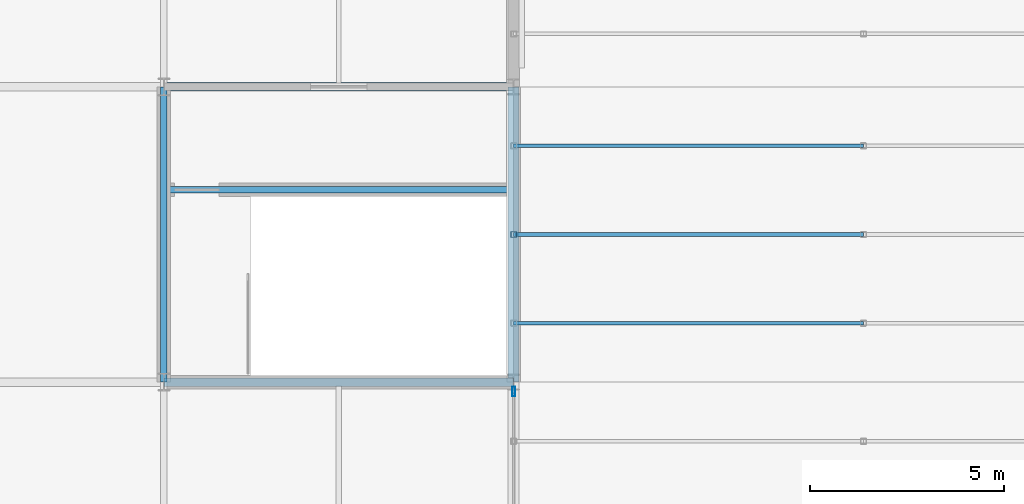
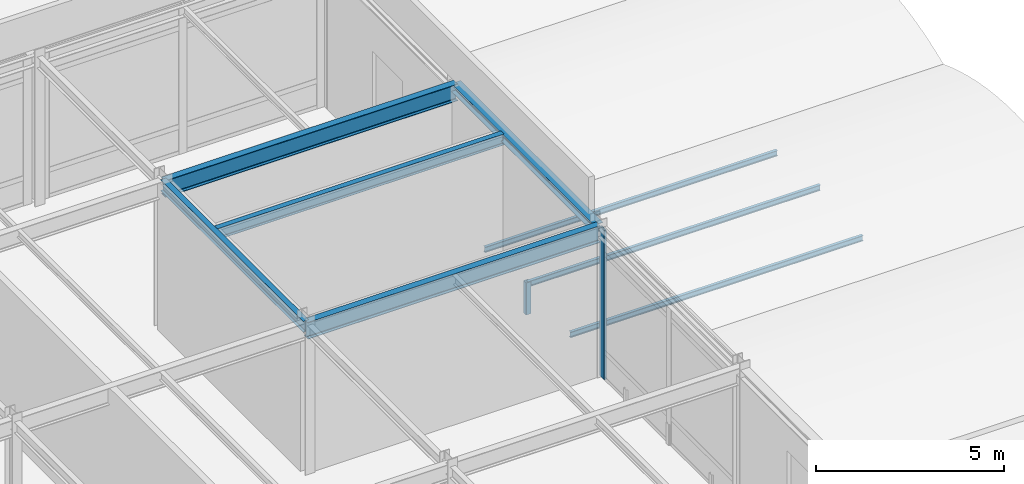
# One storey, part 72 of 113: 5 beams, 5 members, 1 element without a shape of its own.
"""IFC4 building model written with IfcOpenShell, lengths in metres."""

from ifc_helpers import new_model, si_unit, direction, frame, origin, origin_2d, place, context, subcontext, project, spatial, hollow_rectangle, i_section, extrude, material, layer, layer_set, material_profile, profile_set, type_object, element, aggregate, save


model = new_model("IFC4")

# Units and contexts
model_context = context("Model", 3, precision=1e-05, world=origin(), true_north=direction((0.0, 1.0)))
body_context = subcontext(model_context, "Body", "Model", "MODEL_VIEW")
ifc_project = project(units=[si_unit("LENGTHUNIT", "METRE"), si_unit("AREAUNIT", "SQUARE_METRE"), si_unit("VOLUMEUNIT", "CUBIC_METRE"), si_unit("PLANEANGLEUNIT", "RADIAN"), si_unit("MASSUNIT", "GRAM", prefix="KILO")], contexts=[model_context])

# Site, building, storey
site_placement = place(None, origin())
site = spatial("IfcSite", under=ifc_project, at=site_placement, CompositionType="ELEMENT")
building_placement = place(site_placement, origin())
building = spatial("IfcBuilding", under=site, at=building_placement, Name="Shalkamar Park Central Library", CompositionType="ELEMENT")
storey_placement = place(building_placement, frame((0.0, 0.0, 5.39990234375)))
storey = spatial("IfcBuildingStorey", under=building, at=storey_placement, Name="L02", CompositionType="ELEMENT", Elevation=5.39990234375)

# Curtain wall, member
ifc_material_1 = material(Name="Thermally broken aluminium and triple low-e curtain wall", Category="aluminium")
ifc_layer = layer(ifc_material_1, 0.25)
ifc_layer_set = layer_set([ifc_layer], Name="UnitisedCurtainWall_39")
curtain_wall_type = type_object("IfcCurtainWallType", Name="Unitised Curtain Wall 39", PredefinedType="USERDEFINED", material=ifc_layer_set)
curtain_wall_placement = place(storey_placement, origin())
curtain_wall = element("IfcCurtainWall", 1, at=curtain_wall_placement, inside=storey, type_object=curtain_wall_type, Name="Unitised Curtain Wall CW-L02-045", ObjectType="UNITISED CURTAIN WALL", PredefinedType="USERDEFINED")
ifc_material_2 = material(Name="Aluminium 6060-T66", Category="aluminium")
ifc_material_profile_1 = material_profile(ifc_material_2, hollow_rectangle(XDim=0.074951171875, YDim=0.25, WallThickness=0.00390625, InnerFilletRadius=0.00390625, OuterFilletRadius=0.006103515625, at=origin_2d()), Name="ALU 75x250x4")
ifc_profile_set_1 = profile_set([ifc_material_profile_1], Name="Aluminium 6060-T66")
member_type_1 = type_object("IfcMemberType", Name="Curtain Wall Mullion ALU75x250", PredefinedType="MULLION", material=ifc_profile_set_1)
member_1_placement = place(storey_placement, frame((273.0, 323.3583984375, 0.0), z_axis=(0.0, 0.0, 1.0), x_axis=(-1.0, 0.0, 0.0)))
member_1 = element("IfcMember", 2, at=member_1_placement, type_object=member_type_1, Name="CW-39 mullion 3", PredefinedType="MULLION", context=body_context, shape_type="SweptSolid", body=[
    extrude(hollow_rectangle(XDim=0.074951171875, YDim=0.25, WallThickness=0.00390625, InnerFilletRadius=0.00390625, OuterFilletRadius=0.006103515625, at=origin_2d()), origin(), (0.0, 0.0, 1.0), 4.85009765625),
])
aggregate(curtain_wall, [member_1])

# Member
ifc_material_3 = material(Name="Steel S355", Category="steel")
ifc_material_profile_2 = material_profile(ifc_material_3, hollow_rectangle(XDim=0.14990234375, YDim=0.14990234375, WallThickness=0.008056640625, InnerFilletRadius=0.008056640625, OuterFilletRadius=0.011962890625, at=origin_2d()), Name="SHS 150x150x8")
ifc_profile_set_2 = profile_set([ifc_material_profile_2], Name="Steel S355")
member_type_2 = type_object("IfcMemberType", Name="Diagonal Brace SHS150", PredefinedType="BRACE", material=ifc_profile_set_2)
member_2_placement = place(storey_placement, frame((273.0, 327.39990234375, -0.35986328125), z_axis=(0.0, 0.0, 1.0), x_axis=(1.0, 0.0, 0.0)))
element("IfcMember", 3, at=member_2_placement, inside=storey, type_object=member_type_2, Name="Vault Arch Post BV-L01-E9-20.2", PredefinedType="BRACE", context=body_context, shape_type="SweptSolid", body=[
    extrude(hollow_rectangle(XDim=0.14990234375, YDim=0.14990234375, WallThickness=0.008056640625, InnerFilletRadius=0.008056640625, OuterFilletRadius=0.011962890625, at=origin_2d()), origin(), (0.0, 0.0, 1.0), 1.0400390625),
])

# Beams
ifc_material_profile_3 = material_profile(ifc_material_3, i_section(OverallWidth=0.280029296875, OverallDepth=0.27001953125, WebThickness=0.008056640625, FlangeThickness=0.012939453125, FilletRadius=0.02392578125, at=origin_2d()), Name="HEA 280")
ifc_profile_set_3 = profile_set([ifc_material_profile_3], Name="Steel S355")
beam_type_1 = type_object("IfcBeamType", Name="Perimeter Spandrel Beam HEA280", PredefinedType="SPANDREL", material=ifc_profile_set_3)
beam_1_placement = place(storey_placement, frame((273.0, 323.60009765625, 4.715087890625), z_axis=(0.0, 1.0, 0.0), x_axis=(-1.0, 0.0, 0.0)))
element("IfcBeam", 4, at=beam_1_placement, inside=storey, type_object=beam_type_1, Name="Beam 20:M-N (L02)", PredefinedType="SPANDREL", context=body_context, shape_type="SweptSolid", body=[
    extrude(i_section(OverallWidth=0.280029296875, OverallDepth=0.27001953125, WebThickness=0.008056640625, FlangeThickness=0.012939453125, FilletRadius=0.02392578125, at=origin_2d()), origin(), (0.0, 0.0, 1.0), 7.599853515625),
])
ifc_material_profile_4 = material_profile(ifc_material_3, i_section(OverallWidth=0.169921875, OverallDepth=0.360107421875, WebThickness=0.008056640625, FlangeThickness=0.0126953125, FilletRadius=0.01806640625, at=origin_2d()), Name="IPE 360")
ifc_profile_set_4 = profile_set([ifc_material_profile_4], Name="Steel S355")
beam_type_2 = type_object("IfcBeamType", Name="Primary Girder IPE360", PredefinedType="BEAM", material=ifc_profile_set_4)
beam_2_placement = place(storey_placement, frame((264.0, 323.60009765625, 4.670166015625), z_axis=(0.0, 1.0, 0.0), x_axis=(-1.0, 0.0, 0.0)))
element("IfcBeam", 5, at=beam_2_placement, inside=storey, type_object=beam_type_2, Name="Beam 19:M-N (L02)", PredefinedType="BEAM", context=body_context, shape_type="SweptSolid", body=[
    extrude(i_section(OverallWidth=0.169921875, OverallDepth=0.360107421875, WebThickness=0.008056640625, FlangeThickness=0.0126953125, FilletRadius=0.01806640625, at=origin_2d()), origin(), (0.0, 0.0, 1.0), 7.599853515625),
])
beam_3_placement = place(storey_placement, frame((264.087890625, 328.550048828125, 4.670166015625), z_axis=(1.0, 0.0, 0.0), x_axis=(0.0, 1.0, 0.0)))
element("IfcBeam", 6, at=beam_3_placement, inside=storey, type_object=beam_type_2, Name="CORE-P6 Stairwell Divider Beam (L02)", PredefinedType="BEAM", context=body_context, shape_type="SweptSolid", body=[
    extrude(i_section(OverallWidth=0.169921875, OverallDepth=0.360107421875, WebThickness=0.008056640625, FlangeThickness=0.0126953125, FilletRadius=0.01806640625, at=origin_2d()), origin(), (0.0, 0.0, 1.0), 8.82421875),
])
ifc_material_profile_5 = material_profile(ifc_material_3, i_section(OverallWidth=0.2099609375, OverallDepth=0.550048828125, WebThickness=0.010986328125, FlangeThickness=0.01708984375, FilletRadius=0.02392578125, at=origin_2d()), Name="IPE 550")
ifc_profile_set_5 = profile_set([ifc_material_profile_5], Name="Steel S355")
beam_type_3 = type_object("IfcBeamType", Name="Primary Girder IPE550", PredefinedType="BEAM", material=ifc_profile_set_5)
for number, where, z_axis, x_axis, name in (
    (7, (264.0, 323.60009765625, 4.5751953125), (1.0, 0.0, 0.0), (0.0, 1.0, 0.0), "Beam M:19-20 (L02)"),
    (8, (264.0, 331.199951171875, 4.5751953125), (1.0, 0.0, 0.0), (0.0, 1.0, 0.0), "Beam N:19-20 (L02)"),
):
    element("IfcBeam", number, at=place(storey_placement, frame(where, z_axis=z_axis, x_axis=x_axis)), inside=storey, type_object=beam_type_3, Name=name, PredefinedType="BEAM", context=body_context, shape_type="SweptSolid", body=[
        extrude(i_section(OverallWidth=0.2099609375, OverallDepth=0.550048828125, WebThickness=0.010986328125, FlangeThickness=0.01708984375, FilletRadius=0.02392578125, at=origin_2d()), origin(), (0.0, 0.0, 1.0), 9.0),
    ])

# Members
ifc_material_profile_6 = material_profile(ifc_material_3, i_section(OverallWidth=0.091064453125, OverallDepth=0.179931640625, WebThickness=0.00537109375, FlangeThickness=0.008056640625, FilletRadius=0.009033203125, at=origin_2d()), Name="IPE 180")
ifc_profile_set_6 = profile_set([ifc_material_profile_6], Name="Steel S355")
member_type_3 = type_object("IfcMemberType", Name="Roof Purlin IPE180", PredefinedType="PURLIN", material=ifc_profile_set_6)
for number, where, z_axis, x_axis, name in (
    (9, (273.0, 325.1201171875, 0.330810546875), (1.0, 0.0, 0.0), (0.0, 1.0, 0.0), "Barrel Roof Purlin BV-L01-E9-1.20"),
    (10, (273.0, 327.39990234375, 0.590087890625), (1.0, 0.0, 0.0), (0.0, 1.0, 0.0), "Barrel Roof Purlin BV-L01-E9-2.20"),
    (11, (273.0, 329.679931640625, 0.330810546875), (1.0, 0.0, 0.0), (0.0, 1.0, 0.0), "Barrel Roof Purlin BV-L01-E9-3.20"),
):
    element("IfcMember", number, at=place(storey_placement, frame(where, z_axis=z_axis, x_axis=x_axis)), inside=storey, type_object=member_type_3, Name=name, PredefinedType="PURLIN", context=body_context, shape_type="SweptSolid", body=[
        extrude(i_section(OverallWidth=0.091064453125, OverallDepth=0.179931640625, WebThickness=0.00537109375, FlangeThickness=0.008056640625, FilletRadius=0.009033203125, at=origin_2d()), origin(), (0.0, 0.0, 1.0), 9.0),
    ])

save(model, "model.ifc")
